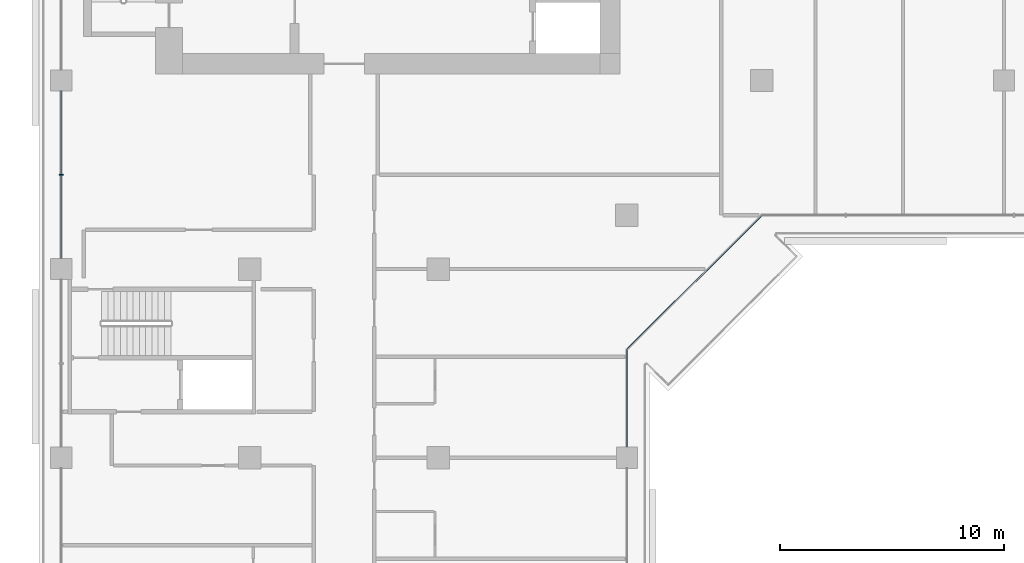
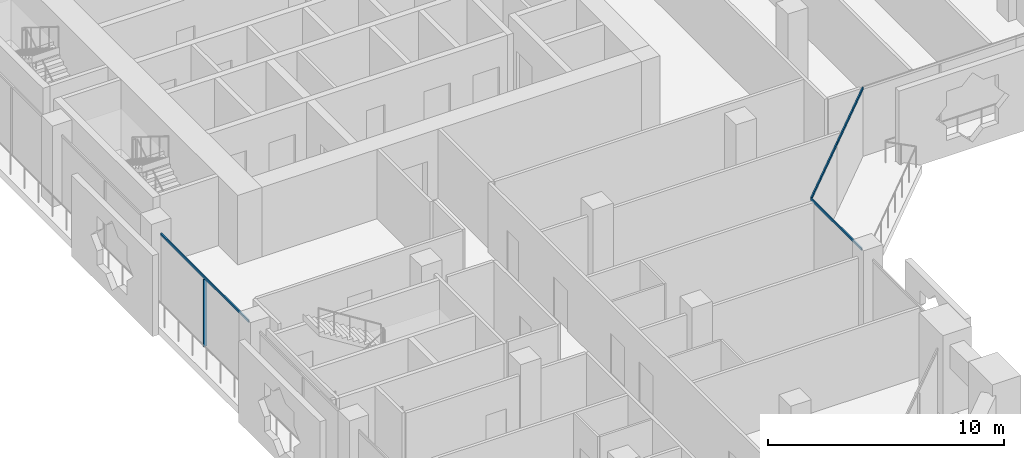
# One storey, part 3 of 22: 5 members, 3 elements without a shape of their own.
"""IFC4 building model written with IfcOpenShell, lengths in metres."""

from ifc_helpers import new_model, si_unit, direction, frame, origin, origin_2d, place, context, subcontext, project, spatial, rectangle, extrude, material, layer, layer_set, material_profile, profile_set, type_object, element, aggregate, save


model = new_model("IFC4")

# Units and contexts
model_context = context("Model", 3, precision=1e-05, world=origin(), true_north=direction((0.0, 1.0)))
body_context = subcontext(model_context, "Body", "Model", "MODEL_VIEW")
ifc_project = project(units=[si_unit("LENGTHUNIT", "METRE"), si_unit("AREAUNIT", "SQUARE_METRE"), si_unit("VOLUMEUNIT", "CUBIC_METRE"), si_unit("PLANEANGLEUNIT", "RADIAN"), si_unit("MASSUNIT", "GRAM", prefix="KILO")], contexts=[model_context])

# Site, building, storey
site_placement = place(None, origin())
site = spatial("IfcSite", under=ifc_project, at=site_placement, CompositionType="ELEMENT")
building_placement = place(site_placement, origin())
building = spatial("IfcBuilding", under=site, at=building_placement, Name="Kawkab Arch Medical Tower", CompositionType="ELEMENT")
storey_placement = place(building_placement, frame((0.0, 0.0, 171.0)))
storey = spatial("IfcBuildingStorey", under=building, at=storey_placement, Name="L39", CompositionType="ELEMENT", Elevation=171.0)

# Curtain wall, members
ifc_material_1 = material(Name="Bronze anodised aluminium curtain wall frame", Category="aluminium")
ifc_layer_1 = layer(ifc_material_1, 0.159912109375)
ifc_layer_set_1 = layer_set([ifc_layer_1], Name="Bronze anodised aluminium curtain wall frame")
curtain_wall_type_1 = type_object("IfcCurtainWallType", Name="CW1 ward curtain wall", PredefinedType="NOTDEFINED", material=ifc_layer_set_1)
placement = place(storey_placement, origin())
curtain_wall_1 = element("IfcCurtainWall", 1, at=placement, inside=storey, type_object=curtain_wall_type_1, Name="CW1 Ward curtain wall R01", PredefinedType="NOTDEFINED")
ifc_material_2 = material(Name="Bronze anodised aluminium curtain wall frame", Category="aluminium")
ifc_material_profile_1 = material_profile(ifc_material_2, rectangle(XDim=0.179931640625, YDim=0.06005859375, at=origin_2d()), Name="AL 60x180")
ifc_profile_set_1 = profile_set([ifc_material_profile_1], Name="Bronze anodised aluminium curtain wall frame")
member_type_1 = type_object("IfcMemberType", Name="CW1 mullion 60 x 180", PredefinedType="MULLION", material=ifc_profile_set_1)
member_1_placement = place(storey_placement, frame((0.0, -29.39990234375, 0.0), z_axis=(0.0, 0.0, 1.0), x_axis=(1.0, 0.0, 0.0)))
member_1 = element("IfcMember", 2, at=member_1_placement, type_object=member_type_1, Name="CW1 mullion 3.1", PredefinedType="MULLION", context=body_context, shape_type="SweptSolid", body=[
    extrude(rectangle(XDim=0.179931640625, YDim=0.06005859375, at=origin_2d()), origin(), (0.0, 0.0, 1.0), 3.47998046875),
])
ifc_material_3 = material(Name="Bronze anodised aluminium curtain wall frame", Category="aluminium")
ifc_material_profile_2 = material_profile(ifc_material_3, rectangle(XDim=0.06005859375, YDim=0.1201171875, at=origin_2d()), Name="AL 60x120")
ifc_profile_set_2 = profile_set([ifc_material_profile_2], Name="Bronze anodised aluminium curtain wall frame")
member_type_2 = type_object("IfcMemberType", Name="CW1 transom 120 x 60", PredefinedType="USERDEFINED", material=ifc_profile_set_2)
member_2_placement = place(storey_placement, frame((0.0, -25.675048828125, 3.5400390625), z_axis=(0.0, -1.0, 0.0), x_axis=(1.0, 0.0, 0.0)))
member_2 = element("IfcMember", 3, at=member_2_placement, type_object=member_type_2, Name="CW1 transom 3", ObjectType="TRANSOM", PredefinedType="USERDEFINED", context=body_context, shape_type="SweptSolid", body=[
    extrude(rectangle(XDim=0.06005859375, YDim=0.1201171875, at=origin_2d()), origin(), (0.0, 0.0, 1.0), 7.449951171875),
])
aggregate(curtain_wall_1, [member_2, member_1])

# Curtain wall, member
curtain_wall_2 = element("IfcCurtainWall", 4, at=placement, inside=storey, type_object=curtain_wall_type_1, Name="CW1 Ward curtain wall R05", PredefinedType="NOTDEFINED")
member_3_placement = place(storey_placement, frame((25.199951171875, -41.52490234375, 3.5400390625), z_axis=(0.0, 1.0, 0.0), x_axis=(-1.0, 0.0, 0.0)))
member_3 = element("IfcMember", 5, at=member_3_placement, type_object=member_type_2, Name="CW1 transom 2", ObjectType="TRANSOM", PredefinedType="USERDEFINED", context=body_context, shape_type="SweptSolid", body=[
    extrude(rectangle(XDim=0.06005859375, YDim=0.1201171875, at=origin_2d()), origin(), (0.0, 0.0, 1.0), 4.324951171875),
])
aggregate(curtain_wall_2, [member_3])

# Curtain wall, members
ifc_material_4 = material(Name="Bronze anodised aluminium curtain wall frame", Category="aluminium")
ifc_layer_2 = layer(ifc_material_4, 0.159912109375)
ifc_layer_set_2 = layer_set([ifc_layer_2], Name="Bronze anodised aluminium curtain wall frame")
curtain_wall_type_2 = type_object("IfcCurtainWallType", Name="CW2 chamfer curtain wall", PredefinedType="NOTDEFINED", material=ifc_layer_set_2)
curtain_wall_3 = element("IfcCurtainWall", 6, at=placement, inside=storey, type_object=curtain_wall_type_2, Name="CW2 Chamfer curtain wall R06", PredefinedType="NOTDEFINED")
ifc_material_5 = material(Name="Bronze anodised aluminium curtain wall frame", Category="aluminium")
ifc_material_profile_3 = material_profile(ifc_material_5, rectangle(XDim=0.06005859375, YDim=0.139892578125, at=origin_2d()), Name="AL 60x140")
ifc_profile_set_3 = profile_set([ifc_material_profile_3], Name="Bronze anodised aluminium curtain wall frame")
member_type_3 = type_object("IfcMemberType", Name="CW2 transom 140 x 60", PredefinedType="USERDEFINED", material=ifc_profile_set_3)
member_4_placement = place(storey_placement, frame((25.199951171875, -37.199951171875, 3.530029296875), z_axis=(0.707106781187, 0.707106781187, 0.0), x_axis=(-0.707106781187, 0.707106781187, 0.0)))
member_4 = element("IfcMember", 7, at=member_4_placement, type_object=member_type_3, Name="CW2 transom 1", ObjectType="TRANSOM", PredefinedType="USERDEFINED", context=body_context, shape_type="SweptSolid", body=[
    extrude(rectangle(XDim=0.06005859375, YDim=0.139892578125, at=origin_2d()), origin(), (0.0, 0.0, 1.0), 4.24267578125),
])
member_5_placement = place(storey_placement, frame((28.199951171875, -34.199951171875, 3.530029296875), z_axis=(0.707106781187, 0.707106781187, 0.0), x_axis=(-0.707106781187, 0.707106781187, 0.0)))
member_5 = element("IfcMember", 8, at=member_5_placement, type_object=member_type_3, Name="CW2 transom 2", ObjectType="TRANSOM", PredefinedType="USERDEFINED", context=body_context, shape_type="SweptSolid", body=[
    extrude(rectangle(XDim=0.06005859375, YDim=0.139892578125, at=origin_2d()), origin(), (0.0, 0.0, 1.0), 4.24267578125),
])
aggregate(curtain_wall_3, [member_4, member_5])

save(model, "model.ifc")
